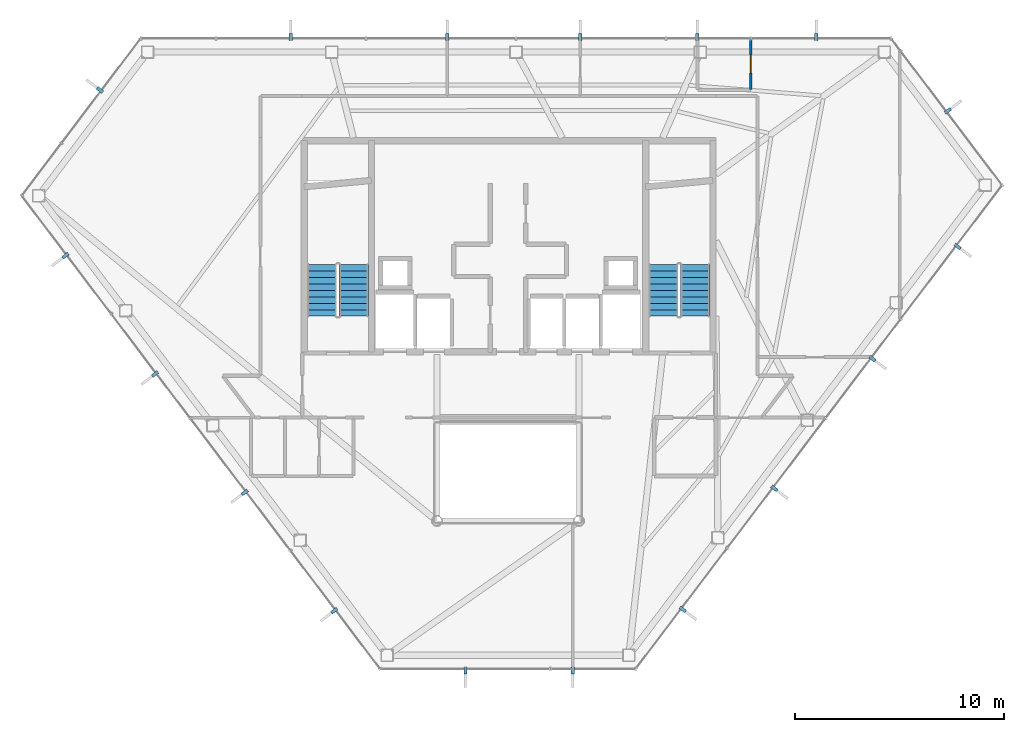
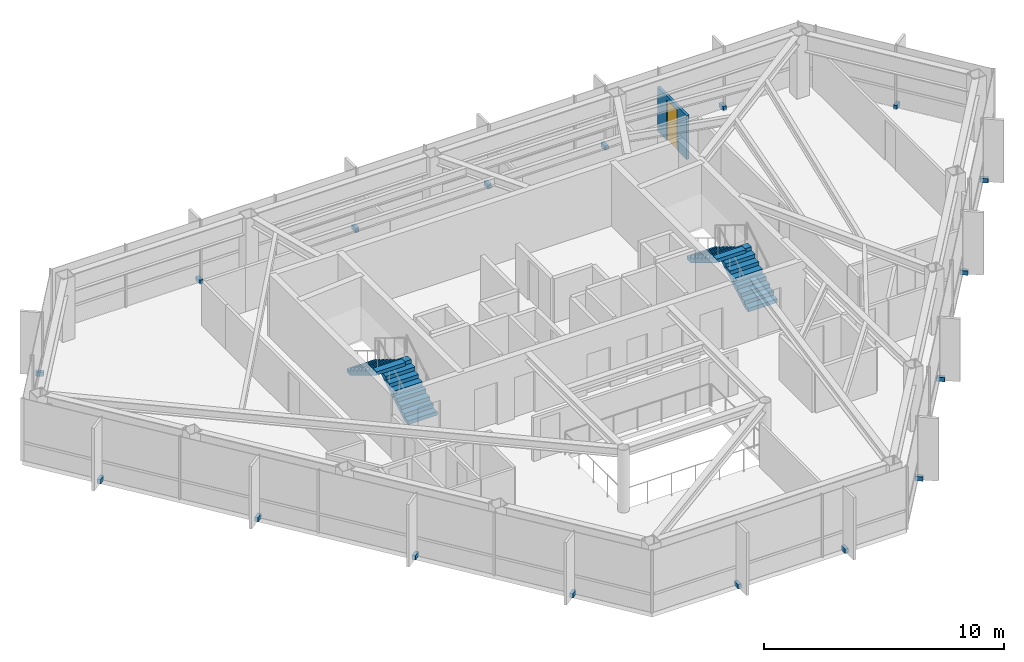
# One storey, part 27 of 28: 17 discrete accessories, 4 stair flights, 1 door, 1 wall, 1 opening, 2 elements without a shape of their own.
"""IFC4 building model written with IfcOpenShell, lengths in metres."""

from ifc_helpers import new_model, si_unit, direction, frame, frame_2d, origin, origin_2d, place, context, subcontext, project, spatial, polyline, rectangle, outline, extrude, material, layer, layer_set, type_object, element, fill, aggregate, save


model = new_model("IFC4")

# Units and contexts
model_context = context("Model", 3, precision=1e-05, world=origin(), true_north=direction((0.0, 1.0)))
body_context = subcontext(model_context, "Body", "Model", "MODEL_VIEW")
ifc_project = project(units=[si_unit("LENGTHUNIT", "METRE"), si_unit("AREAUNIT", "SQUARE_METRE"), si_unit("VOLUMEUNIT", "CUBIC_METRE"), si_unit("PLANEANGLEUNIT", "RADIAN"), si_unit("MASSUNIT", "GRAM", prefix="KILO")], contexts=[model_context])

# Site, building, storey
site_placement = place(None, origin())
site = spatial("IfcSite", under=ifc_project, at=site_placement, CompositionType="ELEMENT")
building_placement = place(site_placement, origin())
building = spatial("IfcBuilding", under=site, at=building_placement, Name="Zarrinselat Tower", CompositionType="ELEMENT")
storey_placement = place(building_placement, frame((0.0, 0.0, 218.9599609375)))
storey = spatial("IfcBuildingStorey", under=building, at=storey_placement, Name="L54", CompositionType="ELEMENT", Elevation=218.9599609375)

# Wall, opening, door
ifc_material_1 = material(Name="Fire-Rated Gypsum Board Partition", Category="gypsum")
ifc_layer = layer(ifc_material_1, 0.135009765625)
ifc_layer_set = layer_set([ifc_layer], Name="Fire-Rated Gypsum Board Partition")
wall_type = type_object("IfcWallType", Name="WAL-PART-WET", PredefinedType="PARTITIONING", material=ifc_layer_set)
wall_placement = place(storey_placement, frame((50.015380859375, 45.8544921875, 0.0), z_axis=(0.0, 0.0, 1.0), x_axis=(0.0, 1.0, 0.0)))
wall = element("IfcWall", 1, at=wall_placement, inside=storey, type_object=wall_type, Name="L54 Partition Wall 55", PredefinedType="PARTITIONING", context=body_context, shape_type="SweptSolid", body=[
    extrude(rectangle(XDim=2.4248046875, YDim=0.135009765625, at=frame_2d((1.21240234375, 0.0))), origin(), (0.0, 0.0, 1.0), 2.235107421875),
])
opening_placement = place(wall_placement, frame((0.782470703125, 0.0, 0.0)))
opening = element("IfcOpeningElement", 2, at=opening_placement, cuts=wall, Name="Opening ID-06", PredefinedType="OPENING", context=body_context, shape_type="SweptSolid", body=[
    extrude(rectangle(XDim=0.860107421875, YDim=2.050048828125, at=frame_2d((0.43017578125, 1.02490234375))), frame((0.0, 0.077392578125, 0.0), z_axis=(0.0, -1.0, 0.0), x_axis=(1.0, 0.0, 0.0)), (0.0, 0.0, 1.0), 0.155029296875),
])
ifc_material_2 = material(Name="Extruded Aluminium Alloy EN AW-6063 T6", Category="aluminium")
door_type = type_object("IfcDoorType", Name="DR-INT-WET-900", OperationType="NOTDEFINED", PredefinedType="DOOR", material=ifc_material_2)
door_placement = place(opening_placement, origin())
door = element("IfcDoor", 3, at=door_placement, inside=storey, type_object=door_type, Name="L54 Interior Door P55", OperationType="SINGLE_SWING_LEFT", OverallHeight=2.050048828125, OverallWidth=0.860107421875, PredefinedType="DOOR", context=body_context, shape_type="SweptSolid", body=[
    extrude(rectangle(XDim=0.860107421875, YDim=2.050048828125, at=frame_2d((0.43017578125, 1.02490234375))), frame((0.0, 0.02490234375, 0.0), z_axis=(0.0, -1.0, 0.0), x_axis=(1.0, 0.0, 0.0)), (0.0, 0.0, 1.0), 0.050048828125),
])
fill(opening, door)

# Stair, stair flights
ifc_material_3 = material(Name="Concrete C40/50", Category="concrete")
stair_type = type_object("IfcStairType", Name="STR-CORE-155", PredefinedType="HALF_TURN_STAIR", material=ifc_material_3)
stair_1_placement = place(storey_placement, origin())
stair_1 = element("IfcStair", 4, at=stair_1_placement, inside=storey, type_object=stair_type, Name="L54 Core Exit Stair 1", PredefinedType="HALF_TURN_STAIR")
ifc_material_4 = material(Name="Concrete C40/50", Category="concrete")
stair_flight_type = type_object("IfcStairFlightType", Name="STR-FLT-155", PredefinedType="STRAIGHT", material=ifc_material_4)
stair_flight_1_placement = place(storey_placement, frame((31.02001953125, 35.0, 0.0), z_axis=(0.0, 0.0, 1.0), x_axis=(0.0, 1.0, 0.0)))
stair_flight_1 = element("IfcStairFlight", 5, at=stair_flight_1_placement, type_object=stair_flight_type, Name="ST-1 flight 1", NumberOfRisers=9, NumberOfTreads=8, PredefinedType="STRAIGHT", RiserHeight=0.188888889, TreadLength=0.31, context=body_context, shape_type="SweptSolid", body=[
    extrude(outline(polyline([(0.0, 0.0), (0.0, 0.18896484375), (0.31005859375, 0.18896484375), (0.31005859375, 0.377685546875), (0.6201171875, 0.377685546875), (0.6201171875, 0.566650390625), (0.929931640625, 0.566650390625), (0.929931640625, 0.755615234375), (1.239990234375, 0.755615234375), (1.239990234375, 0.9443359375), (1.550048828125, 0.9443359375), (1.550048828125, 1.13330078125), (1.860107421875, 1.13330078125), (1.860107421875, 1.322265625), (2.169921875, 1.322265625), (2.169921875, 1.51123046875), (2.47998046875, 1.51123046875), (2.47998046875, 1.699951171875), (2.47998046875, 1.335693359375), (0.2880859375, 0.0), (0.0, 0.0)])), frame((0.0, 0.699951171875, 0.0), z_axis=(0.0, -1.0, 0.0), x_axis=(1.0, 0.0, 0.0)), (0.0, 0.0, 1.0), 1.39990234375),
])
stair_flight_2_placement = place(storey_placement, frame((29.5, 37.47998046875, 1.699951171875), z_axis=(0.0, 0.0, 1.0), x_axis=(0.0, -1.0, 0.0)))
stair_flight_2 = element("IfcStairFlight", 6, at=stair_flight_2_placement, type_object=stair_flight_type, Name="ST-1 flight 2", NumberOfRisers=9, NumberOfTreads=8, PredefinedType="STRAIGHT", RiserHeight=0.188888889, TreadLength=0.31, context=body_context, shape_type="SweptSolid", body=[
    extrude(outline(polyline([(0.0, 0.0), (0.0, 0.18896484375), (0.31005859375, 0.18896484375), (0.31005859375, 0.377685546875), (0.6201171875, 0.377685546875), (0.6201171875, 0.566650390625), (0.929931640625, 0.566650390625), (0.929931640625, 0.755615234375), (1.239990234375, 0.755615234375), (1.239990234375, 0.9443359375), (1.550048828125, 0.9443359375), (1.550048828125, 1.13330078125), (1.860107421875, 1.13330078125), (1.860107421875, 1.322265625), (2.169921875, 1.322265625), (2.169921875, 1.51123046875), (2.47998046875, 1.51123046875), (2.47998046875, 1.699951171875), (2.47998046875, 1.335693359375), (0.2880859375, 0.0), (0.0, 0.0)])), frame((0.0, 0.699951171875, 0.0), z_axis=(0.0, -1.0, 0.0), x_axis=(1.0, 0.0, 0.0)), (0.0, 0.0, 1.0), 1.39990234375),
])
aggregate(stair_1, [stair_flight_1, stair_flight_2])

stair_2_placement = place(storey_placement, origin())
stair_2 = element("IfcStair", 7, at=stair_2_placement, inside=storey, type_object=stair_type, Name="L54 Core Exit Stair 2", PredefinedType="HALF_TURN_STAIR")
stair_flight_3_placement = place(storey_placement, frame((47.360107421875, 35.0, 0.0), z_axis=(0.0, 0.0, 1.0), x_axis=(0.0, 1.0, 0.0)))
stair_flight_3 = element("IfcStairFlight", 8, at=stair_flight_3_placement, type_object=stair_flight_type, Name="ST-2 flight 1", NumberOfRisers=9, NumberOfTreads=8, PredefinedType="STRAIGHT", RiserHeight=0.188888889, TreadLength=0.31, context=body_context, shape_type="SweptSolid", body=[
    extrude(outline(polyline([(0.0, 0.0), (0.0, 0.18896484375), (0.31005859375, 0.18896484375), (0.31005859375, 0.377685546875), (0.6201171875, 0.377685546875), (0.6201171875, 0.566650390625), (0.929931640625, 0.566650390625), (0.929931640625, 0.755615234375), (1.239990234375, 0.755615234375), (1.239990234375, 0.9443359375), (1.550048828125, 0.9443359375), (1.550048828125, 1.13330078125), (1.860107421875, 1.13330078125), (1.860107421875, 1.322265625), (2.169921875, 1.322265625), (2.169921875, 1.51123046875), (2.47998046875, 1.51123046875), (2.47998046875, 1.699951171875), (2.47998046875, 1.335693359375), (0.2880859375, 0.0), (0.0, 0.0)])), frame((0.0, 0.699951171875, 0.0), z_axis=(0.0, -1.0, 0.0), x_axis=(1.0, 0.0, 0.0)), (0.0, 0.0, 1.0), 1.39990234375),
])
stair_flight_4_placement = place(storey_placement, frame((45.840087890625, 37.47998046875, 1.699951171875), z_axis=(0.0, 0.0, 1.0), x_axis=(0.0, -1.0, 0.0)))
stair_flight_4 = element("IfcStairFlight", 9, at=stair_flight_4_placement, type_object=stair_flight_type, Name="ST-2 flight 2", NumberOfRisers=9, NumberOfTreads=8, PredefinedType="STRAIGHT", RiserHeight=0.188888889, TreadLength=0.31, context=body_context, shape_type="SweptSolid", body=[
    extrude(outline(polyline([(0.0, 0.0), (0.0, 0.18896484375), (0.31005859375, 0.18896484375), (0.31005859375, 0.377685546875), (0.6201171875, 0.377685546875), (0.6201171875, 0.566650390625), (0.929931640625, 0.566650390625), (0.929931640625, 0.755615234375), (1.239990234375, 0.755615234375), (1.239990234375, 0.9443359375), (1.550048828125, 0.9443359375), (1.550048828125, 1.13330078125), (1.860107421875, 1.13330078125), (1.860107421875, 1.322265625), (2.169921875, 1.322265625), (2.169921875, 1.51123046875), (2.47998046875, 1.51123046875), (2.47998046875, 1.699951171875), (2.47998046875, 1.335693359375), (0.2880859375, 0.0), (0.0, 0.0)])), frame((0.0, 0.699951171875, 0.0), z_axis=(0.0, -1.0, 0.0), x_axis=(1.0, 0.0, 0.0)), (0.0, 0.0, 1.0), 1.39990234375),
])
aggregate(stair_2, [stair_flight_3, stair_flight_4])

# Discrete accessories
ifc_material_5 = material(Name="Steel S355J2", Category="steel")
discrete_accessory_type = type_object("IfcDiscreteAccessoryType", Name="ACC-FIN-BRACKET", PredefinedType="BRACKET", material=ifc_material_5)
for number, where, z_axis, x_axis, name in (
    (10, (53.14794921875, 48.364501953125, -0.0498046875), (0.0, 0.0, 1.0), (0.0, 1.0, 0.0), "L54 Fin Fixing Bracket CW-L54-E01-01"),
    (11, (47.46533203125, 48.364501953125, -0.0498046875), (0.0, 0.0, 1.0), (0.0, 1.0, 0.0), "L54 Fin Fixing Bracket CW-L54-E01-03"),
    (12, (41.855224609375, 48.364501953125, -0.0498046875), (0.0, 0.0, 1.0), (0.0, 1.0, 0.0), "L54 Fin Fixing Bracket CW-L54-E01-05"),
    (13, (35.5, 48.364501953125, -0.0498046875), (0.0, 0.0, 1.0), (0.0, 1.0, 0.0), "L54 Fin Fixing Bracket CW-L54-E01-07"),
    (14, (28.00830078125, 48.364501953125, -0.0498046875), (0.0, 0.0, 1.0), (0.0, 1.0, 0.0), "L54 Fin Fixing Bracket CW-L54-E01-09"),
    (15, (18.8701171875, 45.8291015625, -0.0498046875), (0.0, 0.0, 1.0), (-0.79708642965, 0.603865236347, 0.0), "L54 Fin Fixing Bracket CW-L54-E02-01"),
    (16, (17.21630859375, 37.897705078125, -0.0498046875), (0.0, 0.0, 1.0), (-0.797090557307, -0.603859787908, 0.0), "L54 Fin Fixing Bracket CW-L54-E03-01"),
    (17, (21.507080078125, 32.23388671875, -0.0498046875), (0.0, 0.0, 1.0), (-0.797090557307, -0.603859787908, 0.0), "L54 Fin Fixing Bracket CW-L54-E03-03"),
    (18, (25.7978515625, 26.570068359375, -0.0498046875), (0.0, 0.0, 1.0), (-0.797090557307, -0.603859787908, 0.0), "L54 Fin Fixing Bracket CW-L54-E03-05"),
    (19, (30.088623046875, 20.90625, -0.0498046875), (0.0, 0.0, 1.0), (-0.797090557307, -0.603859787908, 0.0), "L54 Fin Fixing Bracket CW-L54-E03-07"),
    (20, (36.36328125, 18.046630859375, -0.0498046875), (0.0, 0.0, 1.0), (0.0, -1.0, 0.0), "L54 Fin Fixing Bracket CW-L54-E04-01"),
    (21, (41.5, 18.046630859375, -0.0498046875), (0.0, 0.0, 1.0), (0.0, -1.0, 0.0), "L54 Fin Fixing Bracket CW-L54-E04-03"),
    (22, (46.75927734375, 20.969482421875, -0.0498046875), (0.0, 0.0, 1.0), (0.797090993572, -0.603859212041, 0.0), "L54 Fin Fixing Bracket CW-L54-E05-01"),
    (23, (51.1455078125, 26.759521484375, -0.0498046875), (0.0, 0.0, 1.0), (0.797090993572, -0.603859212041, 0.0), "L54 Fin Fixing Bracket CW-L54-E05-03"),
    (24, (55.8466796875, 32.965087890625, -0.0498046875), (0.0, 0.0, 1.0), (0.797090993572, -0.603859212041, 0.0), "L54 Fin Fixing Bracket CW-L54-E05-05"),
    (25, (59.91845703125, 38.339599609375, -0.0498046875), (0.0, 0.0, 1.0), (0.797090993572, -0.603859212041, 0.0), "L54 Fin Fixing Bracket CW-L54-E05-07"),
    (26, (59.453369140625, 44.827880859375, -0.0498046875), (0.0, 0.0, 1.0), (0.797090160089, 0.603860312232, 0.0), "L54 Fin Fixing Bracket CW-L54-E06-01"),
):
    element("IfcDiscreteAccessory", number, at=place(storey_placement, frame(where, z_axis=z_axis, x_axis=x_axis)), inside=storey, type_object=discrete_accessory_type, Name=name, PredefinedType="BRACKET", context=body_context, shape_type="SweptSolid", body=[
        extrude(rectangle(XDim=0.340087890625, YDim=0.159912109375, at=origin_2d()), origin(), (0.0, 0.0, 1.0), 0.219970703125),
    ])

save(model, "model.ifc")
